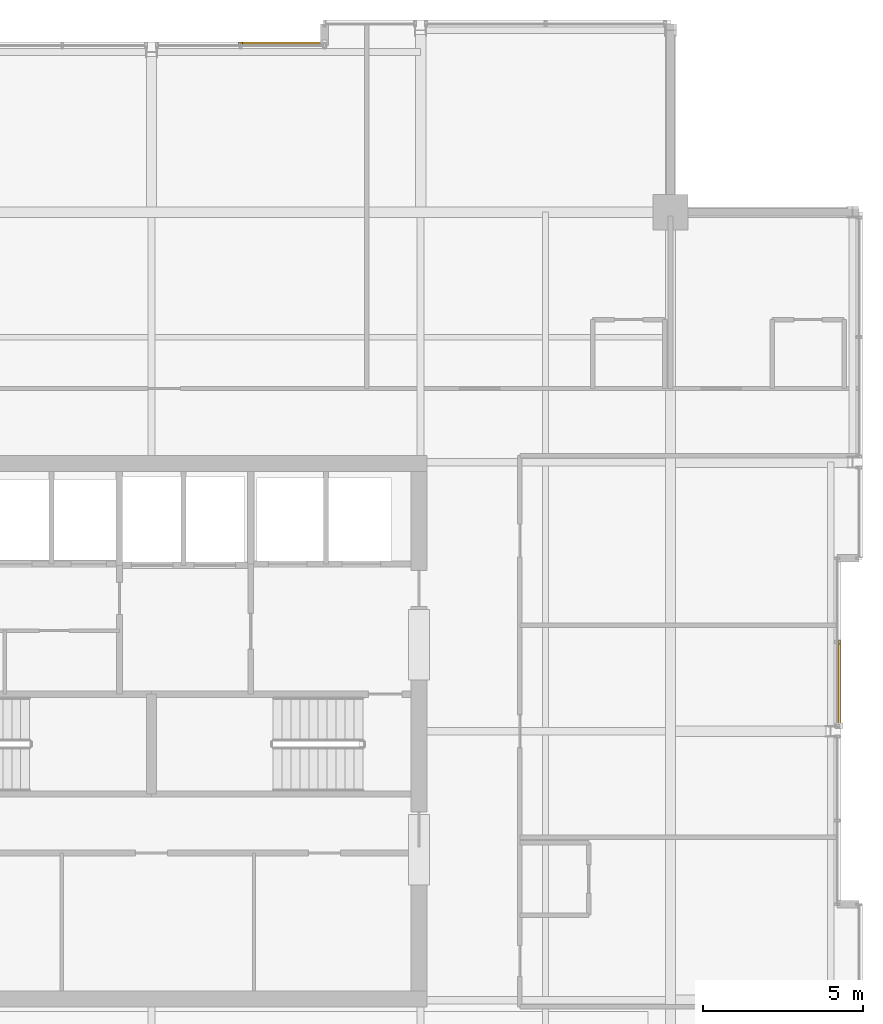
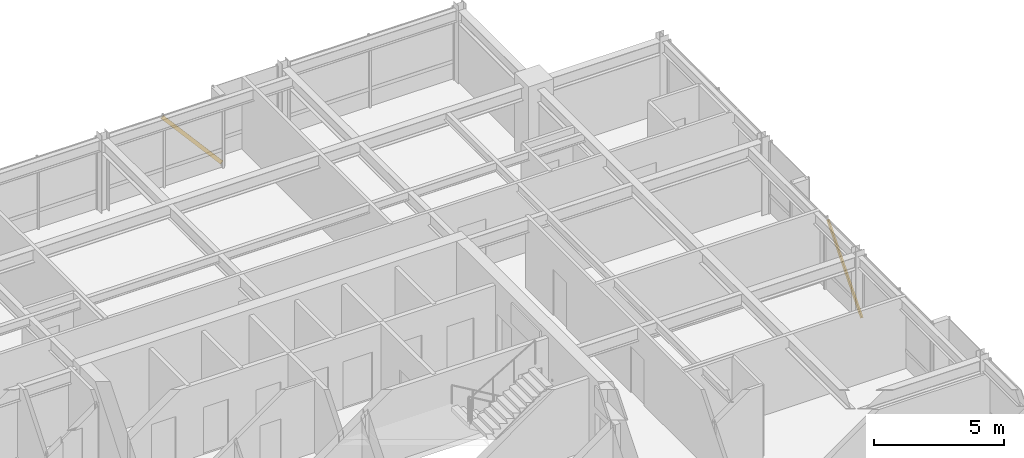
# One storey, part 34 of 34: 2 shading devices.
"""IFC4 building model written with IfcOpenShell, lengths in metres."""

from ifc_helpers import new_model, si_unit, direction, frame, origin, origin_2d, place, context, subcontext, project, spatial, hollow_rectangle, extrude, material, material_profile, profile_set, type_object, element, save


model = new_model("IFC4")

# Units and contexts
model_context = context("Model", 3, precision=1e-05, world=origin(), true_north=direction((0.0, 1.0)))
body_context = subcontext(model_context, "Body", "Model", "MODEL_VIEW")
ifc_project = project(units=[si_unit("LENGTHUNIT", "METRE"), si_unit("AREAUNIT", "SQUARE_METRE"), si_unit("VOLUMEUNIT", "CUBIC_METRE"), si_unit("PLANEANGLEUNIT", "RADIAN"), si_unit("MASSUNIT", "GRAM", prefix="KILO")], contexts=[model_context])

# Site, building, storey
site_placement = place(None, origin())
site = spatial("IfcSite", under=ifc_project, at=site_placement, CompositionType="ELEMENT")
building_placement = place(site_placement, origin())
building = spatial("IfcBuilding", under=site, at=building_placement, Name="Drelvath Grand Hotel", CompositionType="ELEMENT")
storey_placement = place(building_placement, frame((0.0, 0.0, 286.89990234375)))
storey = spatial("IfcBuildingStorey", under=building, at=storey_placement, Name="L75", CompositionType="ELEMENT", Elevation=286.89990234375)

# Shading devices
ifc_material = material(Name="Platinum-Mist Anodised Aluminium", Category="aluminium")
ifc_material_profile = material_profile(ifc_material, hollow_rectangle(XDim=0.06494140625, YDim=0.159912109375, WallThickness=0.00390625, at=origin_2d()), Name="HSS160X65X4")
ifc_profile_set = profile_set([ifc_material_profile], Name="Platinum-Mist Anodised Aluminium")
shading_device_type = type_object("IfcShadingDeviceType", Name="Diagonal Solar Fin Platinum Anodised HSS160X65X4", PredefinedType="USERDEFINED", material=ifc_profile_set)
shading_device_1_placement = place(storey_placement, frame((21.47998046875, 27.169921875, 0.18017578125), z_axis=(0.0, 0.653354613196, 0.757052012358), x_axis=(-1.0, 0.0, 0.0)))
element("IfcShadingDevice", 1, at=shading_device_1_placement, inside=storey, type_object=shading_device_type, Name="L75 Diagonal Anodised Fin CW05-L75-EM2", ObjectType="FIN", PredefinedType="USERDEFINED", context=body_context, shape_type="SweptSolid", body=[
    extrude(hollow_rectangle(XDim=0.06494140625, YDim=0.159912109375, WallThickness=0.00390625, at=origin_2d()), origin(), (0.0, 0.0, 1.0), 4.00244140625),
])
shading_device_2_placement = place(storey_placement, frame((5.39990234375, 48.47998046875, 0.18017578125), z_axis=(-0.65331965119, 0.0, 0.757082184026), x_axis=(0.0, -1.0, 0.0)))
element("IfcShadingDevice", 2, at=shading_device_2_placement, inside=storey, type_object=shading_device_type, Name="L75 Diagonal Anodised Fin CW05-L75-NM2", ObjectType="FIN", PredefinedType="USERDEFINED", context=body_context, shape_type="SweptSolid", body=[
    extrude(hollow_rectangle(XDim=0.06494140625, YDim=0.159912109375, WallThickness=0.00390625, at=origin_2d()), origin(), (0.0, 0.0, 1.0), 4.002197265625),
])

save(model, "model.ifc")
